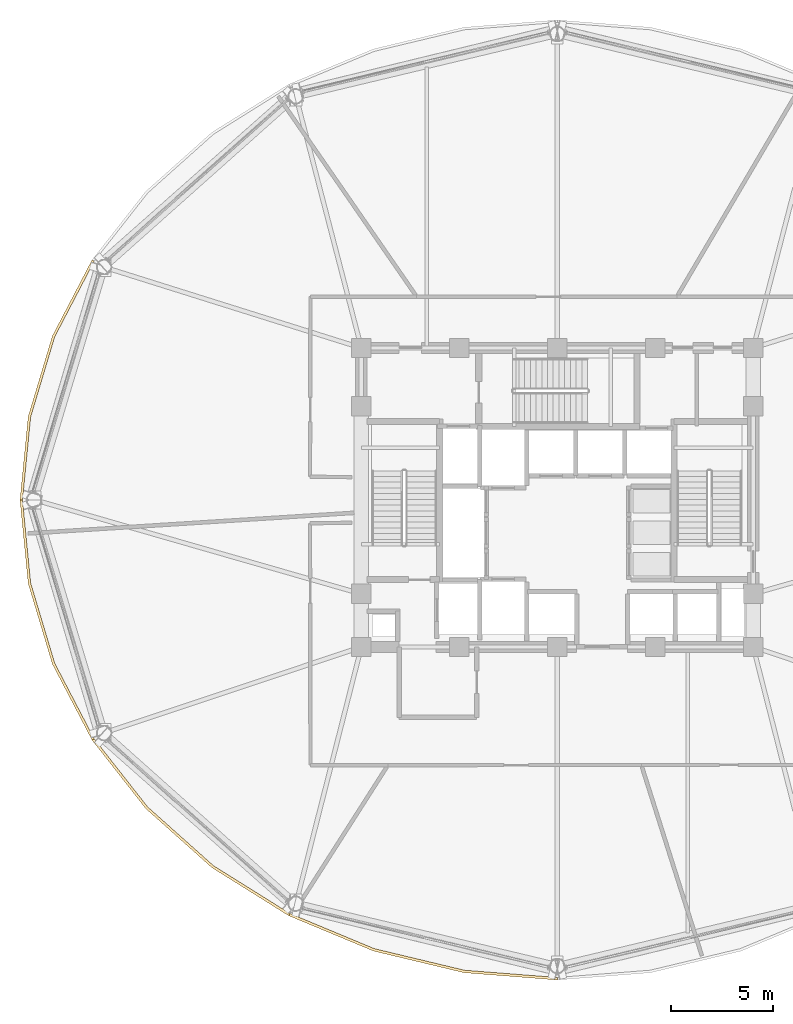
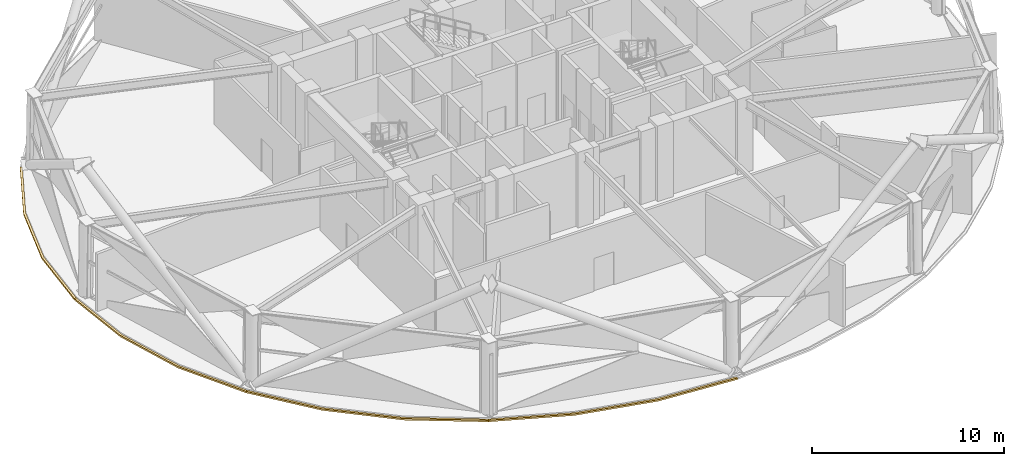
# One storey, part 13 of 17: 4 coverings.
"""IFC4 building model written with IfcOpenShell, lengths in metres."""

from ifc_helpers import new_model, si_unit, direction, frame, origin, place, context, subcontext, project, spatial, polyline, outline, extrude, material, layer, layer_set, type_object, element, save


model = new_model("IFC4")

# Units and contexts
model_context = context("Model", 3, precision=1e-05, world=origin(), true_north=direction((0.0, 1.0)))
body_context = subcontext(model_context, "Body", "Model", "MODEL_VIEW")
ifc_project = project(units=[si_unit("LENGTHUNIT", "METRE"), si_unit("AREAUNIT", "SQUARE_METRE"), si_unit("VOLUMEUNIT", "CUBIC_METRE"), si_unit("PLANEANGLEUNIT", "RADIAN"), si_unit("MASSUNIT", "GRAM", prefix="KILO")], contexts=[model_context])

# Site, building, storey
site_placement = place(None, origin())
site = spatial("IfcSite", under=ifc_project, at=site_placement, CompositionType="ELEMENT")
building_placement = place(site_placement, origin())
building = spatial("IfcBuilding", under=site, at=building_placement, Name="Vantalir Tower", CompositionType="ELEMENT")
storey_placement = place(building_placement, frame((0.0, 0.0, 96.14990234375)))
storey = spatial("IfcBuildingStorey", under=building, at=storey_placement, Name="L23", CompositionType="ELEMENT", Elevation=96.14990234375)

# Coverings
ifc_material = material(Name="Anodised champagne aluminium sill fascia", Category="aluminium")
ifc_layer = layer(ifc_material, 0.125)
ifc_layer_set = layer_set([ifc_layer], Name="Anodised champagne aluminium sill fascia")
covering_type = type_object("IfcCoveringType", Name="COV-SLAB-FASCIA-125", PredefinedType="CLADDING", material=ifc_layer_set)
covering_1_placement = place(storey_placement, frame((0.0, 0.0, -0.179931640625)))
element("IfcCovering", 1, at=covering_1_placement, inside=storey, type_object=covering_type, Name="L23 Perimeter Slab-Edge Sill Fascia 06", PredefinedType="CLADDING", context=body_context, shape_type="SweptSolid", body=[
    extrude(outline(polyline([(8.701904296875, 36.759033203125), (6.762939453125, 33.0439453125), (5.574951171875, 29.083984375), (5.175048828125, 25.0), (5.300048828125, 25.0), (5.697998046875, 29.06201171875), (6.8798828125, 33.0009765625), (8.81005859375, 36.696044921875), (8.701904296875, 36.759033203125)])), origin(), (0.0, 0.0, 1.0), 0.10498046875),
])
covering_2_placement = place(storey_placement, frame((0.0, 0.0, -0.179931640625)))
element("IfcCovering", 2, at=covering_2_placement, inside=storey, type_object=covering_type, Name="L23 Perimeter Slab-Edge Sill Fascia 07", PredefinedType="CLADDING", context=body_context, shape_type="SweptSolid", body=[
    extrude(outline(polyline([(5.175048828125, 25.0), (5.574951171875, 20.916015625), (6.762939453125, 16.9560546875), (8.701904296875, 13.240966796875), (8.81005859375, 13.302978515625), (6.8798828125, 16.9990234375), (5.697998046875, 20.93798828125), (5.300048828125, 25.0), (5.175048828125, 25.0)])), origin(), (0.0, 0.0, 1.0), 0.10498046875),
])
covering_3_placement = place(storey_placement, frame((0.0, 0.0, -0.179931640625)))
element("IfcCovering", 3, at=covering_3_placement, inside=storey, type_object=covering_type, Name="L23 Perimeter Slab-Edge Sill Fascia 08", PredefinedType="CLADDING", context=body_context, shape_type="SweptSolid", body=[
    extrude(outline(polyline([(8.701904296875, 13.240966796875), (11.333984375, 9.883056640625), (14.5791015625, 6.98388671875), (18.3369140625, 4.633056640625), (18.39990234375, 4.740966796875), (14.658935546875, 7.080078125), (11.429931640625, 9.962890625), (8.81005859375, 13.302978515625), (8.701904296875, 13.240966796875)])), origin(), (0.0, 0.0, 1.0), 0.10498046875),
])
covering_4_placement = place(storey_placement, frame((0.0, 0.0, -0.179931640625)))
element("IfcCovering", 4, at=covering_4_placement, inside=storey, type_object=covering_type, Name="L23 Perimeter Slab-Edge Sill Fascia 09", PredefinedType="CLADDING", context=body_context, shape_type="SweptSolid", body=[
    extrude(outline(polyline([(18.3369140625, 4.633056640625), (22.49609375, 2.89990234375), (26.928955078125, 1.839111328125), (31.5, 1.48193359375), (31.5, 1.60693359375), (26.949951171875, 1.9619140625), (22.5390625, 3.01806640625), (18.39990234375, 4.740966796875), (18.3369140625, 4.633056640625)])), origin(), (0.0, 0.0, 1.0), 0.10498046875),
])

save(model, "model.ifc")
